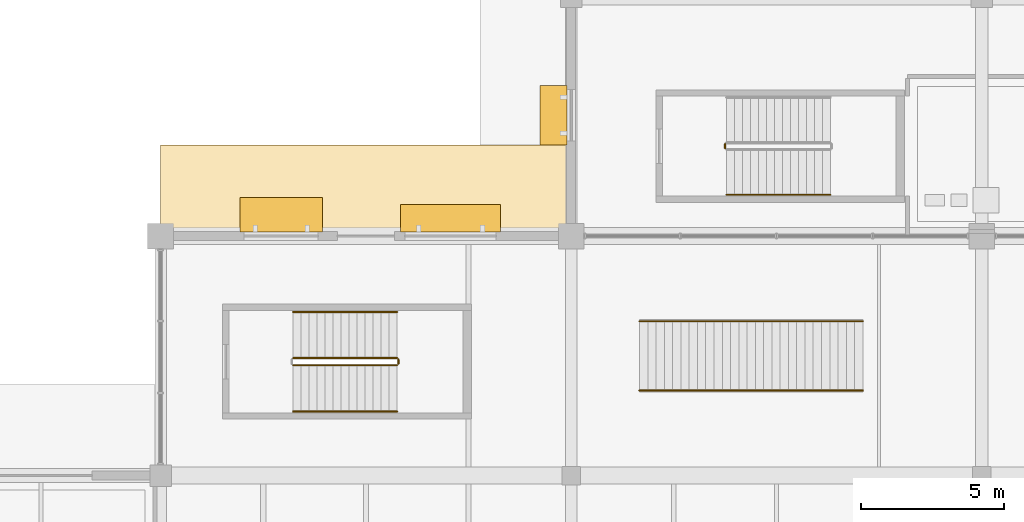
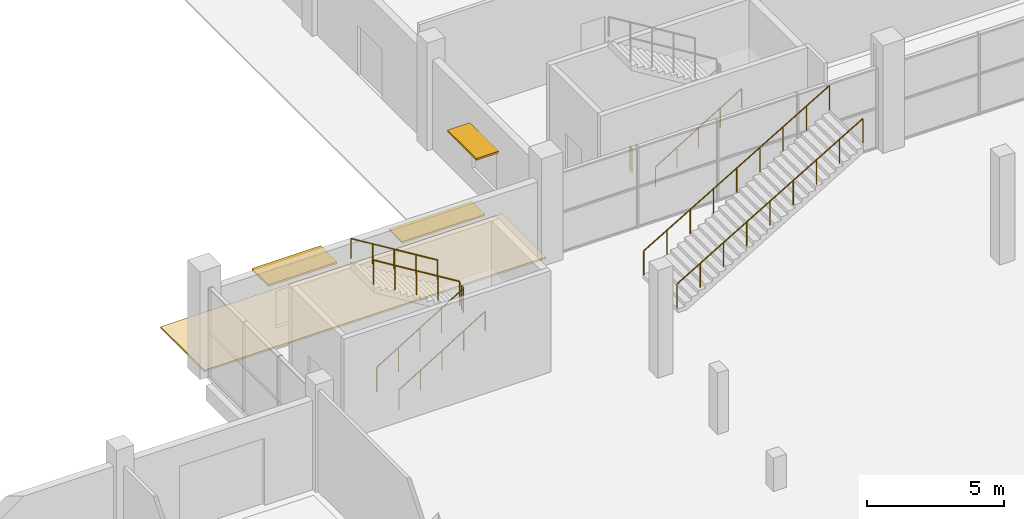
# One storey, part 118 of 130: 9 railings, 3 shading devices, 1 covering.
"""IFC4 building model written with IfcOpenShell, lengths in metres."""

import ifcopenshell
import ifcopenshell.guid

model = None  # the IFC model being written
_history = None  # IfcOwnerHistory: only IFC2X3 demands one
_inside = {}  # id of a spatial element -> (the spatial element, [elements in it])
_under = {}  # id of a project, library or spatial element -> (it, [spatial elements below it])
_declared = {}  # id of a project -> (the project, [libraries it declares])
_typed = {}  # id of a type object -> (the type object, [elements of that type])
_made_of = {}  # id of a material, layer set ... -> (it, [elements and type objects made of it])


def new_model(schema):
    """Start an empty IFC model of exactly this schema.

    Asked for "IFC4X3", IfcOpenShell would pick the latest addendum, in which some entities
    have other attributes; the version numbers below select the first issue.
    IFC2X3 requires an IfcOwnerHistory on every rooted entity: one is made here for all.
    """
    global model, _history
    if schema == "IFC4X3":
        model = ifcopenshell.file(schema_version=(4, 3, 0, 0))
    else:
        model = ifcopenshell.file(schema=schema)
    _inside.clear()
    _under.clear()
    _declared.clear()
    _typed.clear()
    _made_of.clear()
    _history = None
    if model.schema == "IFC2X3":
        org = make("IfcOrganization", Name="unknown")
        user = make(
            "IfcPersonAndOrganization",
            ThePerson=make("IfcPerson", FamilyName="unknown"),
            TheOrganization=org,
        )
        app = make(
            "IfcApplication",
            ApplicationDeveloper=org,
            Version="unknown",
            ApplicationFullName="unknown",
            ApplicationIdentifier="unknown",
        )
        _history = make(
            "IfcOwnerHistory",
            OwningUser=user,
            OwningApplication=app,
            ChangeAction="ADDED",
            CreationDate=0,
        )
    return model


def make(cls, **values):
    """One entity of the class cls with the attributes given. An attribute that is None is left unset."""
    return model.create_entity(
        cls, **{name: value for name, value in values.items() if value is not None}
    )


def rooted(cls, **values):
    """An entity with a GlobalId (a new one), such as an element, a storey or a relation."""
    return make(cls, GlobalId=ifcopenshell.guid.new(), OwnerHistory=_history, **values)


def si_unit(unit_type, name, prefix=None):
    """IfcSIUnit, for example si_unit("LENGTHUNIT", "METRE", prefix="MILLI")."""
    return make("IfcSIUnit", UnitType=unit_type, Prefix=prefix, Name=name)


def assignment(units):
    """IfcUnitAssignment: the units of a project."""
    return None if units is None else make("IfcUnitAssignment", Units=units)


def point(xyz):
    """IfcCartesianPoint."""
    return None if xyz is None else make("IfcCartesianPoint", Coordinates=xyz)


def direction(xyz):
    """IfcDirection."""
    return None if xyz is None else make("IfcDirection", DirectionRatios=xyz)


def frame(location, z_axis=None, x_axis=None):
    """IfcAxis2Placement3D, a coordinate frame: its origin and axes. An axis left out is left unset."""
    return make(
        "IfcAxis2Placement3D",
        Location=point(location),
        Axis=direction(z_axis),
        RefDirection=direction(x_axis),
    )


def frame_2d(location, x_axis=None):
    """IfcAxis2Placement2D, a coordinate frame in the plane: its origin and x axis."""
    return make(
        "IfcAxis2Placement2D", Location=point(location), RefDirection=direction(x_axis)
    )


def origin():
    """The frame at (0, 0, 0) with its axes left unset."""
    return frame((0.0, 0.0, 0.0))


def origin_2d():
    """The frame at (0, 0) in the plane with its x axis left unset."""
    return frame_2d((0.0, 0.0))


def place(relative_to, where):
    """IfcLocalPlacement: puts the frame where relative to a parent placement (None: the world)."""
    return make(
        "IfcLocalPlacement", PlacementRelTo=relative_to, RelativePlacement=where
    )


def context(
    kind, dimensions, precision=None, world=None, true_north=None, identifier=None
):
    """IfcGeometricRepresentationContext, for example the 3D "Model" context."""
    return make(
        "IfcGeometricRepresentationContext",
        ContextIdentifier=identifier,
        ContextType=kind,
        CoordinateSpaceDimension=dimensions,
        Precision=precision,
        WorldCoordinateSystem=world,
        TrueNorth=true_north,
    )


def subcontext(parent, identifier, kind, view, scale=None):
    """IfcGeometricRepresentationSubContext, for example "Body" below "Model"."""
    return make(
        "IfcGeometricRepresentationSubContext",
        ContextIdentifier=identifier,
        ContextType=kind,
        ParentContext=parent,
        TargetScale=scale,
        TargetView=view,
    )


def project(units=None, contexts=None):
    """IfcProject with its units and contexts."""
    return rooted(
        "IfcProject",
        Name="project",
        RepresentationContexts=contexts,
        UnitsInContext=assignment(units),
    )


def spatial(cls, under=None, at=None, **own):
    """A site, building, storey or space (cls), placed at a placement, below another one or the project."""
    s = rooted(cls, ObjectPlacement=at, **own)
    if under is not None:
        _under.setdefault(under.id(), (under, []))[1].append(s)
    return s


def polyline(points):
    """IfcPolyline through the points."""
    return make("IfcPolyline", Points=[point(p) for p in points])


def profile(cls, at=None, kind="AREA", **sizes):
    """A parametric profile (cls). Its sizes go by their IFC names, for example OverallWidth=200.0."""
    return make(cls, ProfileType=kind, Position=at, **sizes)


def rectangle(**sizes):
    """IfcRectangleProfileDef."""
    return profile("IfcRectangleProfileDef", **sizes)


def circle(**sizes):
    """IfcCircleProfileDef."""
    return profile("IfcCircleProfileDef", **sizes)


def outline(outer, holes=None, kind="AREA"):
    """IfcArbitraryClosedProfileDef: a profile drawn as a closed curve; with holes, ...WithVoids."""
    if holes is None:
        return make("IfcArbitraryClosedProfileDef", ProfileType=kind, OuterCurve=outer)
    return make(
        "IfcArbitraryProfileDefWithVoids",
        ProfileType=kind,
        OuterCurve=outer,
        InnerCurves=holes,
    )


def extrude(swept, where, along, depth):
    """IfcExtrudedAreaSolid: the profile swept, set in the frame where, extruded along a direction by depth."""
    return make(
        "IfcExtrudedAreaSolid",
        SweptArea=swept,
        Position=where,
        ExtrudedDirection=direction(along),
        Depth=depth,
    )


def shape(context_of_items, identifier, shape_type, items):
    """IfcShapeRepresentation: the items that make up one representation, for example the "Body"."""
    return make(
        "IfcShapeRepresentation",
        ContextOfItems=context_of_items,
        RepresentationIdentifier=identifier,
        RepresentationType=shape_type,
        Items=items,
    )


def material(Name=None, Category=None):
    """IfcMaterial."""
    return make("IfcMaterial", Name=Name, Category=Category)


def layer(
    of_material, thickness, ventilated=None, Name=None, Category=None, Priority=None
):
    """IfcMaterialLayer: one layer of a wall or slab, of a material (None: an air gap)."""
    return make(
        "IfcMaterialLayer",
        Material=of_material,
        LayerThickness=thickness,
        IsVentilated=ventilated,
        Name=Name,
        Category=Category,
        Priority=Priority,
    )


def layer_set(layers, Name=None):
    """IfcMaterialLayerSet."""
    return make("IfcMaterialLayerSet", MaterialLayers=layers, LayerSetName=Name)


def made_of(thing, what):
    """Note that an element or type object is made of a material, layer set ...; save() writes the relation."""
    if what is not None:
        _made_of.setdefault(what.id(), (what, []))[1].append(thing)
    return thing


def type_object(cls, material=None, **own):
    """A type object (cls), such as IfcWallType, which elements share."""
    return made_of(rooted(cls, **own), material)


def element(
    cls,
    number,
    at=None,
    inside=None,
    cuts=None,
    type_object=None,
    material=None,
    context=None,
    identifier="Body",
    shape_type=None,
    held_by="IfcProductDefinitionShape",
    body=None,
    shapes=None,
    **own,
):
    """One element of the class cls, such as IfcWall. Its Tag is "e" and its number.

    at: its placement. inside: the storey or other place that contains it. cuts: it is an
    opening in that element (IfcRelVoidsElement). A single representation is given by context,
    identifier, shape_type and body (its items); several are given by shapes. held_by: the class
    of the entity that holds the representations. save() writes the other relations.
    """
    e = rooted(cls, Tag="e%d" % number, ObjectPlacement=at, **own)
    if body is not None:
        shapes = [shape(context, identifier, shape_type, body)]
    if shapes is not None:
        e.Representation = make(held_by, Representations=shapes)
    if inside is not None:
        _inside.setdefault(inside.id(), (inside, []))[1].append(e)
    if cuts is not None:
        rooted(
            "IfcRelVoidsElement", RelatingBuildingElement=cuts, RelatedOpeningElement=e
        )
    if type_object is not None:
        _typed.setdefault(type_object.id(), (type_object, []))[1].append(e)
    return made_of(e, material)


def aggregate(whole, parts):
    """IfcRelAggregates: a whole, such as a stair, and the parts it consists of."""
    return rooted("IfcRelAggregates", RelatingObject=whole, RelatedObjects=parts)


def save(model, path):
    """Write the relations noted so far, then the file.

    IfcRelAggregates (storeys below a building ...), IfcRelContainedInSpatialStructure (elements
    in a storey), IfcRelDefinesByType, IfcRelAssociatesMaterial and IfcRelDeclares: one each for
    every whole, place, type object, material and project.
    """
    for whole, parts in _under.values():
        aggregate(whole, parts)
    for where, things in _inside.values():
        rooted(
            "IfcRelContainedInSpatialStructure",
            RelatedElements=things,
            RelatingStructure=where,
        )
    for kind, things in _typed.values():
        rooted("IfcRelDefinesByType", RelatedObjects=things, RelatingType=kind)
    for what, things in _made_of.values():
        rooted("IfcRelAssociatesMaterial", RelatedObjects=things, RelatingMaterial=what)
    for by, libraries in _declared.values():
        rooted("IfcRelDeclares", RelatingContext=by, RelatedDefinitions=libraries)
    model.write(path)


model = new_model("IFC4")

# Units and contexts
model_context = context("Model", 3, precision=1e-05, world=origin(), true_north=direction((0.0, 1.0)))
body_context = subcontext(model_context, "Body", "Model", "MODEL_VIEW")
ifc_project = project(units=[si_unit("LENGTHUNIT", "METRE"), si_unit("AREAUNIT", "SQUARE_METRE"), si_unit("VOLUMEUNIT", "CUBIC_METRE"), si_unit("PLANEANGLEUNIT", "RADIAN"), si_unit("MASSUNIT", "GRAM", prefix="KILO"), si_unit("THERMODYNAMICTEMPERATUREUNIT", "KELVIN")], contexts=[model_context])

# Site, building, storey
site_placement = place(None, origin())
site = spatial("IfcSite", under=ifc_project, at=site_placement, CompositionType="ELEMENT")
building_placement = place(site_placement, origin())
building = spatial("IfcBuilding", under=site, at=building_placement, Name="Nduvali Passage Aquatics Centre", CompositionType="ELEMENT")
storey_placement = place(building_placement, origin())
storey = spatial("IfcBuildingStorey", under=building, at=storey_placement, Name="L00", CompositionType="ELEMENT", Elevation=0.0)

# Shading devices
ifc_material_1 = material(Name="Aluminium EN AW-6063 T6", Category="aluminium")
ifc_layer_1 = layer(ifc_material_1, 0.090087890625, Name="Aluminium EN AW-6063 T6")
ifc_layer_set_1 = layer_set([ifc_layer_1], Name="Aluminium EN AW-6063 T6")
shading_device_type_1 = type_object("IfcShadingDeviceType", Name="ENV-SHD-SUN1", PredefinedType="AWNING", material=ifc_layer_set_1)
shading_device_1_placement = place(storey_placement, frame((29.429931640625, 93.14990234375, 2.65478515625), z_axis=(0.0, 0.0, 1.0), x_axis=(-1.0, 0.0, 0.0)))
element("IfcShadingDevice", 1, at=shading_device_1_placement, inside=storey, type_object=shading_device_type_1, Name="L00 Horizontal Monsoon Sunshade 0089", PredefinedType="AWNING", context=body_context, shape_type="SweptSolid", body=[
    extrude(rectangle(XDim=2.89990234375, YDim=1.199951171875, at=origin_2d()), origin(), (0.0, 0.0, 1.0), 0.090087890625),
])
ifc_layer_2 = layer(ifc_material_1, 0.080078125, Name="Aluminium EN AW-6063 T6")
ifc_layer_set_2 = layer_set([ifc_layer_2], Name="Aluminium EN AW-6063 T6")
shading_device_type_2 = type_object("IfcShadingDeviceType", Name="ENV-SHD-SUN2", PredefinedType="AWNING", material=ifc_layer_set_2)
shading_device_2_placement = place(storey_placement, frame((35.3701171875, 93.02490234375, 2.60986328125), z_axis=(0.0, 0.0, 1.0), x_axis=(-1.0, 0.0, 0.0)))
element("IfcShadingDevice", 2, at=shading_device_2_placement, inside=storey, type_object=shading_device_type_2, Name="L00 Horizontal Monsoon Sunshade 0088", PredefinedType="AWNING", context=body_context, shape_type="SweptSolid", body=[
    extrude(rectangle(XDim=3.5, YDim=0.949951171875, at=origin_2d()), origin(), (0.0, 0.0, 1.0), 0.080078125),
])
shading_device_3_placement = place(storey_placement, frame((38.97509765625, 96.636962890625, 2.760009765625), z_axis=(0.0, 0.0, 1.0), x_axis=(0.0, -1.0, 0.0)))
element("IfcShadingDevice", 3, at=shading_device_3_placement, inside=storey, type_object=shading_device_type_2, Name="L00 Horizontal Monsoon Sunshade 0094", PredefinedType="AWNING", context=body_context, shape_type="SweptSolid", body=[
    extrude(rectangle(XDim=2.10009765625, YDim=0.949951171875, at=origin_2d()), origin(), (0.0, 0.0, 1.0), 0.080078125),
])

# Railings
ifc_material_2 = material(Name="Stainless steel balustrade", Category="steel")
railing_type_1 = type_object("IfcRailingType", Name="INT-RLG-GRD110", PredefinedType="GUARDRAIL", material=ifc_material_2)
railing_1_placement = place(storey_placement, frame((45.0, 95.47998046875, 0.0)))
element("IfcRailing", 4, at=railing_1_placement, inside=storey, type_object=railing_type_1, Name="L00 ST4 stair guard 4", PredefinedType="GUARDRAIL", context=body_context, shape_type="SweptSolid", body=[
    extrude(circle(Radius=0.02392578125, at=origin_2d()), frame((0.0, 0.0, 1.076171875), z_axis=(0.0, 1.0, 0.0), x_axis=(-1.0, 0.0, 0.0)), (0.0, 0.0, 1.0), 0.14990234375),
    extrude(circle(Radius=0.02099609375, at=origin_2d()), origin(), (0.0, 0.0, 1.0), 1.052001953125),
    extrude(circle(Radius=0.02099609375, at=origin_2d()), frame((0.0, 0.14990234375, 0.0)), (0.0, 0.0, 1.0), 1.052001953125),
])
railing_2_placement = place(storey_placement, frame((29.85009765625, 87.8701171875, 0.17138671875)))
element("IfcRailing", 5, at=railing_2_placement, inside=storey, type_object=railing_type_1, Name="L00 ST10 stair guard 1", PredefinedType="GUARDRAIL", context=body_context, shape_type="SweptSolid", body=[
    extrude(circle(Radius=0.02392578125, at=origin_2d()), frame((0.0, 0.0, 1.076171875), z_axis=(0.852850264322, 0.0, 0.5221555579), x_axis=(0.0, 1.0, 0.0)), (0.0, 0.0, 1.0), 4.267822265625),
    extrude(circle(Radius=0.02099609375, at=origin_2d()), origin(), (0.0, 0.0, 1.0), 1.052001953125),
    extrude(circle(Radius=0.02099609375, at=origin_2d()), frame((0.909912109375, 0.0, 0.55712890625)), (0.0, 0.0, 1.0), 1.052001953125),
    extrude(circle(Radius=0.02099609375, at=origin_2d()), frame((1.81982421875, 0.0, 1.1142578125)), (0.0, 0.0, 1.0), 1.052001953125),
    extrude(circle(Radius=0.02099609375, at=origin_2d()), frame((2.72998046875, 0.0, 1.67138671875)), (0.0, 0.0, 1.0), 1.052001953125),
    extrude(circle(Radius=0.02099609375, at=origin_2d()), frame((3.639892578125, 0.0, 2.228515625)), (0.0, 0.0, 1.0), 1.052001953125),
])
railing_3_placement = place(storey_placement, frame((33.5400390625, 87.919921875, 2.39990234375)))
element("IfcRailing", 6, at=railing_3_placement, inside=storey, type_object=railing_type_1, Name="L00 ST10 stair guard 2", PredefinedType="GUARDRAIL", context=body_context, shape_type="SweptSolid", body=[
    extrude(circle(Radius=0.02392578125, at=origin_2d()), frame((0.0, 0.0, 1.076171875), z_axis=(0.0, 1.0, 0.0), x_axis=(-1.0, 0.0, 0.0)), (0.0, 0.0, 1.0), 0.150146484375),
    extrude(circle(Radius=0.02099609375, at=origin_2d()), origin(), (0.0, 0.0, 1.0), 1.052001953125),
    extrude(circle(Radius=0.02099609375, at=origin_2d()), frame((0.0, 0.150146484375, 0.0)), (0.0, 0.0, 1.0), 1.052001953125),
])
railing_4_placement = place(storey_placement, frame((33.489990234375, 88.1201171875, 2.571533203125)))
element("IfcRailing", 7, at=railing_4_placement, inside=storey, type_object=railing_type_1, Name="L00 ST10 stair guard 3", PredefinedType="GUARDRAIL", context=body_context, shape_type="SweptSolid", body=[
    extrude(circle(Radius=0.02392578125, at=origin_2d()), frame((0.0, 0.0, 1.076171875), z_axis=(-0.852850264322, 0.0, 0.5221555579), x_axis=(0.0, -1.0, 0.0)), (0.0, 0.0, 1.0), 4.267822265625),
    extrude(circle(Radius=0.02099609375, at=origin_2d()), origin(), (0.0, 0.0, 1.0), 1.052001953125),
    extrude(circle(Radius=0.02099609375, at=origin_2d()), frame((-0.909912109375, 0.0, 0.55712890625)), (0.0, 0.0, 1.0), 1.052001953125),
    extrude(circle(Radius=0.02099609375, at=origin_2d()), frame((-1.81982421875, 0.0, 1.1142578125)), (0.0, 0.0, 1.0), 1.052001953125),
    extrude(circle(Radius=0.02099609375, at=origin_2d()), frame((-2.72998046875, 0.0, 1.67138671875)), (0.0, 0.0, 1.0), 1.052001953125),
    extrude(circle(Radius=0.02099609375, at=origin_2d()), frame((-3.639892578125, 0.0, 2.228515625)), (0.0, 0.0, 1.0), 1.052001953125),
])
for number, where, name in (
    (8, (42.0, 86.985107421875, 0.17138671875), "Vomitory VST4 Guardrail 1"),
    (9, (42.0, 89.4150390625, 0.17138671875), "Vomitory VST4 Guardrail 2"),
):
    element("IfcRailing", number, at=place(storey_placement, frame(where)), inside=storey, type_object=railing_type_1, Name=name, PredefinedType="GUARDRAIL", context=body_context, shape_type="SweptSolid", body=[
        extrude(circle(Radius=0.02392578125, at=origin_2d()), frame((0.0, 0.0, 1.076171875), z_axis=(0.860839950906, 0.0, 0.508875799115), x_axis=(0.0, 1.0, 0.0)), (0.0, 0.0, 1.0), 9.095947265625),
        extrude(circle(Radius=0.02099609375, at=origin_2d()), origin(), (0.0, 0.0, 1.0), 1.052001953125),
        extrude(circle(Radius=0.02099609375, at=origin_2d()), frame((0.978759765625, 0.0, 0.57861328125)), (0.0, 0.0, 1.0), 1.052001953125),
        extrude(circle(Radius=0.02099609375, at=origin_2d()), frame((1.95751953125, 0.0, 1.1572265625)), (0.0, 0.0, 1.0), 1.052001953125),
        extrude(circle(Radius=0.02099609375, at=origin_2d()), frame((2.936279296875, 0.0, 1.73583984375)), (0.0, 0.0, 1.0), 1.052001953125),
        extrude(circle(Radius=0.02099609375, at=origin_2d()), frame((3.9150390625, 0.0, 2.314453125)), (0.0, 0.0, 1.0), 1.052001953125),
        extrude(circle(Radius=0.02099609375, at=origin_2d()), frame((4.893798828125, 0.0, 2.892822265625)), (0.0, 0.0, 1.0), 1.052001953125),
        extrude(circle(Radius=0.02099609375, at=origin_2d()), frame((5.87255859375, 0.0, 3.471435546875)), (0.0, 0.0, 1.0), 1.052001953125),
        extrude(circle(Radius=0.02099609375, at=origin_2d()), frame((6.851318359375, 0.0, 4.050048828125)), (0.0, 0.0, 1.0), 1.052001953125),
        extrude(circle(Radius=0.02099609375, at=origin_2d()), frame((7.830078125, 0.0, 4.628662109375)), (0.0, 0.0, 1.0), 1.052001953125),
    ])
railing_type_2 = type_object("IfcRailingType", Name="INT-RLG-HND90", PredefinedType="HANDRAIL", material=ifc_material_2)
for number, where, name in (
    (10, (45.050048828125, 93.85009765625, 0.346435546875), "L00 ST4 stair handrail 1"),
    (11, (29.85009765625, 86.25, 0.346435546875), "L00 ST10 stair handrail 1"),
):
    element("IfcRailing", number, at=place(storey_placement, frame(where)), inside=storey, type_object=railing_type_2, Name=name, PredefinedType="HANDRAIL", context=body_context, shape_type="SweptSolid", body=[
        extrude(circle(Radius=0.02392578125, at=origin_2d()), frame((0.0, 0.0, 0.8759765625), z_axis=(0.852850264322, 0.0, 0.5221555579), x_axis=(0.0, 1.0, 0.0)), (0.0, 0.0, 1.0), 4.267822265625),
        extrude(circle(Radius=0.02099609375, at=origin_2d()), origin(), (0.0, 0.0, 1.0), 0.851806640625),
        extrude(circle(Radius=0.02099609375, at=origin_2d()), frame((0.909912109375, 0.0, 0.55712890625)), (0.0, 0.0, 1.0), 0.851806640625),
        extrude(circle(Radius=0.02099609375, at=origin_2d()), frame((1.81982421875, 0.0, 1.1142578125)), (0.0, 0.0, 1.0), 0.851806640625),
        extrude(circle(Radius=0.02099609375, at=origin_2d()), frame((2.72998046875, 0.0, 1.67138671875)), (0.0, 0.0, 1.0), 0.851806640625),
        extrude(circle(Radius=0.02099609375, at=origin_2d()), frame((3.639892578125, 0.0, 2.228515625)), (0.0, 0.0, 1.0), 0.851806640625),
    ])
railing_5_placement = place(storey_placement, frame((33.489990234375, 89.739990234375, 2.746337890625)))
element("IfcRailing", 12, at=railing_5_placement, inside=storey, type_object=railing_type_2, Name="L00 ST10 stair handrail 2", PredefinedType="HANDRAIL", context=body_context, shape_type="SweptSolid", body=[
    extrude(circle(Radius=0.02392578125, at=origin_2d()), frame((0.0, 0.0, 0.8759765625), z_axis=(-0.852850264322, 0.0, 0.5221555579), x_axis=(0.0, -1.0, 0.0)), (0.0, 0.0, 1.0), 4.267822265625),
    extrude(circle(Radius=0.02099609375, at=origin_2d()), origin(), (0.0, 0.0, 1.0), 0.851806640625),
    extrude(circle(Radius=0.02099609375, at=origin_2d()), frame((-0.909912109375, 0.0, 0.55712890625)), (0.0, 0.0, 1.0), 0.851806640625),
    extrude(circle(Radius=0.02099609375, at=origin_2d()), frame((-1.81982421875, 0.0, 1.1142578125)), (0.0, 0.0, 1.0), 0.851806640625),
    extrude(circle(Radius=0.02099609375, at=origin_2d()), frame((-2.72998046875, 0.0, 1.67138671875)), (0.0, 0.0, 1.0), 0.851806640625),
    extrude(circle(Radius=0.02099609375, at=origin_2d()), frame((-3.639892578125, 0.0, 2.228515625)), (0.0, 0.0, 1.0), 0.851806640625),
])

# Covering
ifc_material_3 = material(Name="Coral-stone masonry blockwork", Category="masonry")
ifc_layer_3 = layer(ifc_material_3, 0.080078125, Name="Coral-stone masonry blockwork")
ifc_layer_set_3 = layer_set([ifc_layer_3], Name="Coral-stone masonry blockwork")
covering_type = type_object("IfcCoveringType", Name="STR-COV-PAV80", PredefinedType="USERDEFINED", material=ifc_layer_set_3)
covering_placement = place(storey_placement, frame((0.0, 0.0, -0.080078125)))
element("IfcCovering", 13, at=covering_placement, inside=storey, type_object=covering_type, Name="L00 Pool Hall North-West Exit Paving", ObjectType="PAVING", PredefinedType="USERDEFINED", context=body_context, shape_type="SweptSolid", body=[
    extrude(outline(polyline([(25.199951171875, 92.39990234375), (39.60009765625, 92.39990234375), (39.60009765625, 95.60009765625), (25.199951171875, 95.60009765625), (25.199951171875, 92.39990234375)])), origin(), (0.0, 0.0, 1.0), 0.080078125),
])

save(model, "model.ifc")
